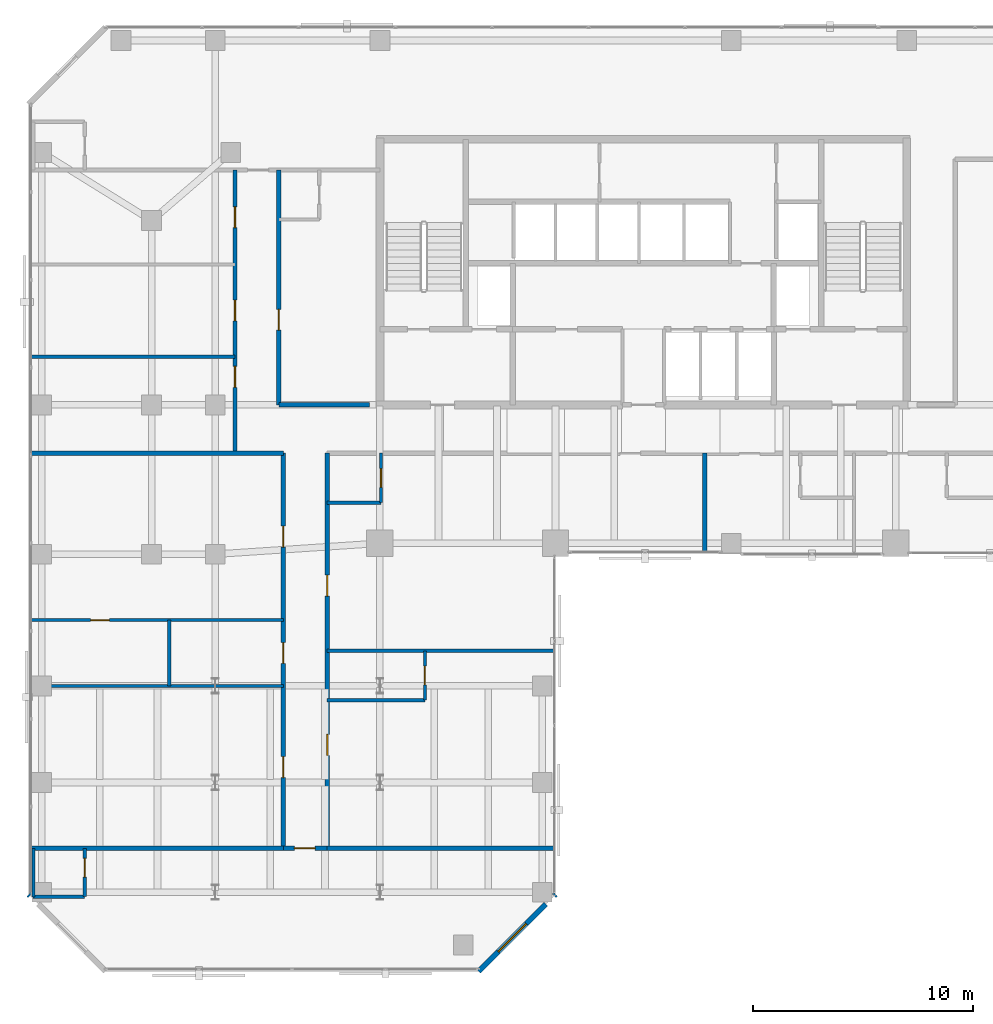
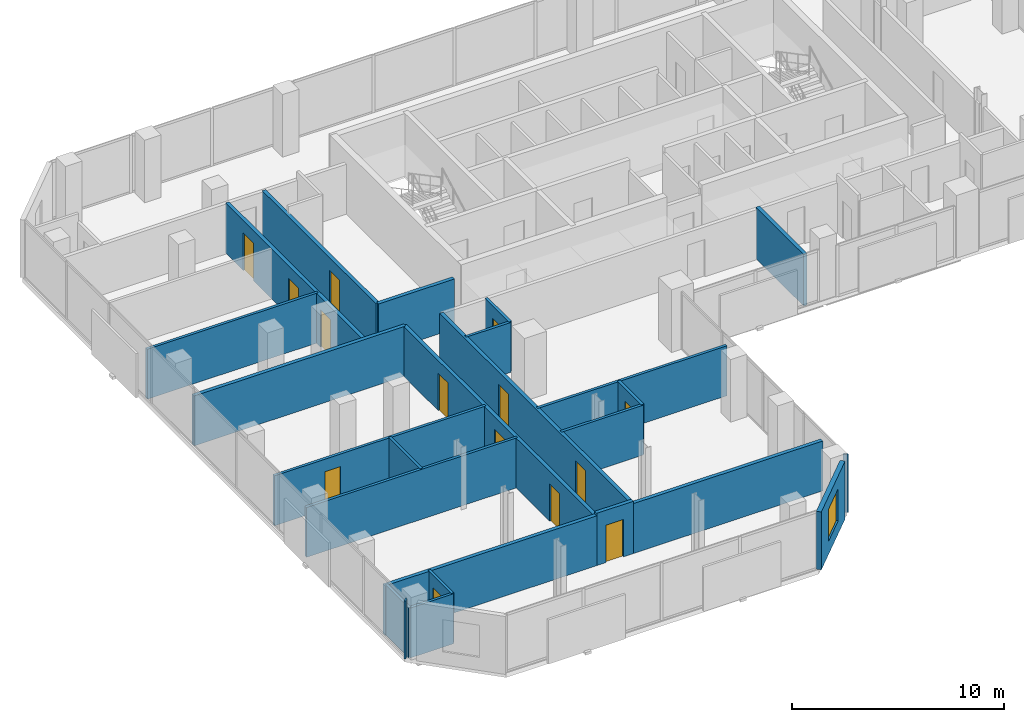
# One storey, part 28 of 34: 25 walls, 14 doors, 1 window, 15 openings.
"""IFC4 building model written with IfcOpenShell, lengths in metres."""

import ifcopenshell
import ifcopenshell.guid

model = None  # the IFC model being written
_history = None  # IfcOwnerHistory: only IFC2X3 demands one
_inside = {}  # id of a spatial element -> (the spatial element, [elements in it])
_under = {}  # id of a project, library or spatial element -> (it, [spatial elements below it])
_declared = {}  # id of a project -> (the project, [libraries it declares])
_typed = {}  # id of a type object -> (the type object, [elements of that type])
_made_of = {}  # id of a material, layer set ... -> (it, [elements and type objects made of it])


def new_model(schema):
    """Start an empty IFC model of exactly this schema.

    Asked for "IFC4X3", IfcOpenShell would pick the latest addendum, in which some entities
    have other attributes; the version numbers below select the first issue.
    IFC2X3 requires an IfcOwnerHistory on every rooted entity: one is made here for all.
    """
    global model, _history
    if schema == "IFC4X3":
        model = ifcopenshell.file(schema_version=(4, 3, 0, 0))
    else:
        model = ifcopenshell.file(schema=schema)
    _inside.clear()
    _under.clear()
    _declared.clear()
    _typed.clear()
    _made_of.clear()
    _history = None
    if model.schema == "IFC2X3":
        org = make("IfcOrganization", Name="unknown")
        user = make(
            "IfcPersonAndOrganization",
            ThePerson=make("IfcPerson", FamilyName="unknown"),
            TheOrganization=org,
        )
        app = make(
            "IfcApplication",
            ApplicationDeveloper=org,
            Version="unknown",
            ApplicationFullName="unknown",
            ApplicationIdentifier="unknown",
        )
        _history = make(
            "IfcOwnerHistory",
            OwningUser=user,
            OwningApplication=app,
            ChangeAction="ADDED",
            CreationDate=0,
        )
    return model


def make(cls, **values):
    """One entity of the class cls with the attributes given. An attribute that is None is left unset."""
    return model.create_entity(
        cls, **{name: value for name, value in values.items() if value is not None}
    )


def rooted(cls, **values):
    """An entity with a GlobalId (a new one), such as an element, a storey or a relation."""
    return make(cls, GlobalId=ifcopenshell.guid.new(), OwnerHistory=_history, **values)


def si_unit(unit_type, name, prefix=None):
    """IfcSIUnit, for example si_unit("LENGTHUNIT", "METRE", prefix="MILLI")."""
    return make("IfcSIUnit", UnitType=unit_type, Prefix=prefix, Name=name)


def assignment(units):
    """IfcUnitAssignment: the units of a project."""
    return None if units is None else make("IfcUnitAssignment", Units=units)


def point(xyz):
    """IfcCartesianPoint."""
    return None if xyz is None else make("IfcCartesianPoint", Coordinates=xyz)


def direction(xyz):
    """IfcDirection."""
    return None if xyz is None else make("IfcDirection", DirectionRatios=xyz)


def frame(location, z_axis=None, x_axis=None):
    """IfcAxis2Placement3D, a coordinate frame: its origin and axes. An axis left out is left unset."""
    return make(
        "IfcAxis2Placement3D",
        Location=point(location),
        Axis=direction(z_axis),
        RefDirection=direction(x_axis),
    )


def frame_2d(location, x_axis=None):
    """IfcAxis2Placement2D, a coordinate frame in the plane: its origin and x axis."""
    return make(
        "IfcAxis2Placement2D", Location=point(location), RefDirection=direction(x_axis)
    )


def origin():
    """The frame at (0, 0, 0) with its axes left unset."""
    return frame((0.0, 0.0, 0.0))


def place(relative_to, where):
    """IfcLocalPlacement: puts the frame where relative to a parent placement (None: the world)."""
    return make(
        "IfcLocalPlacement", PlacementRelTo=relative_to, RelativePlacement=where
    )


def context(
    kind, dimensions, precision=None, world=None, true_north=None, identifier=None
):
    """IfcGeometricRepresentationContext, for example the 3D "Model" context."""
    return make(
        "IfcGeometricRepresentationContext",
        ContextIdentifier=identifier,
        ContextType=kind,
        CoordinateSpaceDimension=dimensions,
        Precision=precision,
        WorldCoordinateSystem=world,
        TrueNorth=true_north,
    )


def subcontext(parent, identifier, kind, view, scale=None):
    """IfcGeometricRepresentationSubContext, for example "Body" below "Model"."""
    return make(
        "IfcGeometricRepresentationSubContext",
        ContextIdentifier=identifier,
        ContextType=kind,
        ParentContext=parent,
        TargetScale=scale,
        TargetView=view,
    )


def project(units=None, contexts=None):
    """IfcProject with its units and contexts."""
    return rooted(
        "IfcProject",
        Name="project",
        RepresentationContexts=contexts,
        UnitsInContext=assignment(units),
    )


def spatial(cls, under=None, at=None, **own):
    """A site, building, storey or space (cls), placed at a placement, below another one or the project."""
    s = rooted(cls, ObjectPlacement=at, **own)
    if under is not None:
        _under.setdefault(under.id(), (under, []))[1].append(s)
    return s


def profile(cls, at=None, kind="AREA", **sizes):
    """A parametric profile (cls). Its sizes go by their IFC names, for example OverallWidth=200.0."""
    return make(cls, ProfileType=kind, Position=at, **sizes)


def rectangle(**sizes):
    """IfcRectangleProfileDef."""
    return profile("IfcRectangleProfileDef", **sizes)


def extrude(swept, where, along, depth):
    """IfcExtrudedAreaSolid: the profile swept, set in the frame where, extruded along a direction by depth."""
    return make(
        "IfcExtrudedAreaSolid",
        SweptArea=swept,
        Position=where,
        ExtrudedDirection=direction(along),
        Depth=depth,
    )


def shape(context_of_items, identifier, shape_type, items):
    """IfcShapeRepresentation: the items that make up one representation, for example the "Body"."""
    return make(
        "IfcShapeRepresentation",
        ContextOfItems=context_of_items,
        RepresentationIdentifier=identifier,
        RepresentationType=shape_type,
        Items=items,
    )


def material(Name=None, Category=None):
    """IfcMaterial."""
    return make("IfcMaterial", Name=Name, Category=Category)


def layer(
    of_material, thickness, ventilated=None, Name=None, Category=None, Priority=None
):
    """IfcMaterialLayer: one layer of a wall or slab, of a material (None: an air gap)."""
    return make(
        "IfcMaterialLayer",
        Material=of_material,
        LayerThickness=thickness,
        IsVentilated=ventilated,
        Name=Name,
        Category=Category,
        Priority=Priority,
    )


def layer_set(layers, Name=None):
    """IfcMaterialLayerSet."""
    return make("IfcMaterialLayerSet", MaterialLayers=layers, LayerSetName=Name)


def made_of(thing, what):
    """Note that an element or type object is made of a material, layer set ...; save() writes the relation."""
    if what is not None:
        _made_of.setdefault(what.id(), (what, []))[1].append(thing)
    return thing


def type_object(cls, material=None, **own):
    """A type object (cls), such as IfcWallType, which elements share."""
    return made_of(rooted(cls, **own), material)


def element(
    cls,
    number,
    at=None,
    inside=None,
    cuts=None,
    type_object=None,
    material=None,
    context=None,
    identifier="Body",
    shape_type=None,
    held_by="IfcProductDefinitionShape",
    body=None,
    shapes=None,
    **own,
):
    """One element of the class cls, such as IfcWall. Its Tag is "e" and its number.

    at: its placement. inside: the storey or other place that contains it. cuts: it is an
    opening in that element (IfcRelVoidsElement). A single representation is given by context,
    identifier, shape_type and body (its items); several are given by shapes. held_by: the class
    of the entity that holds the representations. save() writes the other relations.
    """
    e = rooted(cls, Tag="e%d" % number, ObjectPlacement=at, **own)
    if body is not None:
        shapes = [shape(context, identifier, shape_type, body)]
    if shapes is not None:
        e.Representation = make(held_by, Representations=shapes)
    if inside is not None:
        _inside.setdefault(inside.id(), (inside, []))[1].append(e)
    if cuts is not None:
        rooted(
            "IfcRelVoidsElement", RelatingBuildingElement=cuts, RelatedOpeningElement=e
        )
    if type_object is not None:
        _typed.setdefault(type_object.id(), (type_object, []))[1].append(e)
    return made_of(e, material)


def fill(opening, filler):
    """IfcRelFillsElement: the door or window that sits in an opening."""
    return rooted(
        "IfcRelFillsElement",
        RelatingOpeningElement=opening,
        RelatedBuildingElement=filler,
    )


def aggregate(whole, parts):
    """IfcRelAggregates: a whole, such as a stair, and the parts it consists of."""
    return rooted("IfcRelAggregates", RelatingObject=whole, RelatedObjects=parts)


def save(model, path):
    """Write the relations noted so far, then the file.

    IfcRelAggregates (storeys below a building ...), IfcRelContainedInSpatialStructure (elements
    in a storey), IfcRelDefinesByType, IfcRelAssociatesMaterial and IfcRelDeclares: one each for
    every whole, place, type object, material and project.
    """
    for whole, parts in _under.values():
        aggregate(whole, parts)
    for where, things in _inside.values():
        rooted(
            "IfcRelContainedInSpatialStructure",
            RelatedElements=things,
            RelatingStructure=where,
        )
    for kind, things in _typed.values():
        rooted("IfcRelDefinesByType", RelatedObjects=things, RelatingType=kind)
    for what, things in _made_of.values():
        rooted("IfcRelAssociatesMaterial", RelatedObjects=things, RelatingMaterial=what)
    for by, libraries in _declared.values():
        rooted("IfcRelDeclares", RelatingContext=by, RelatedDefinitions=libraries)
    model.write(path)


model = new_model("IFC4")

# Units and contexts
model_context = context("Model", 3, precision=1e-05, world=origin(), true_north=direction((0.0, 1.0)))
body_context = subcontext(model_context, "Body", "Model", "MODEL_VIEW")
ifc_project = project(units=[si_unit("LENGTHUNIT", "METRE"), si_unit("AREAUNIT", "SQUARE_METRE"), si_unit("VOLUMEUNIT", "CUBIC_METRE"), si_unit("PLANEANGLEUNIT", "RADIAN"), si_unit("MASSUNIT", "GRAM", prefix="KILO")], contexts=[model_context])

# Site, building, storey
site_placement = place(None, origin())
site = spatial("IfcSite", under=ifc_project, at=site_placement, CompositionType="ELEMENT")
building_placement = place(site_placement, origin())
building = spatial("IfcBuilding", under=site, at=building_placement, Name="Catumbela Crestline Tower", CompositionType="ELEMENT")
storey_placement = place(building_placement, frame((0.0, 0.0, 115.2)))
storey = spatial("IfcBuildingStorey", under=building, at=storey_placement, Name="L29", CompositionType="ELEMENT", Elevation=115.2)

# Walls
ifc_material_1 = material(Name="Acoustic gypsum and mineral-wool partition")
ifc_layer_1 = layer(ifc_material_1, 0.2, Name="Acoustic gypsum and mineral-wool partition")
ifc_layer_set_1 = layer_set([ifc_layer_1], Name="Acoustic gypsum and mineral-wool partition")
wall_type_1 = type_object("IfcWallType", Name="WC-200", PredefinedType="PARTITIONING", material=ifc_layer_set_1)
wall_1_placement = place(storey_placement, frame((0.1, 28.6, 0.0), z_axis=(0.0, 0.0, 1.0), x_axis=(1.0, 0.0, 0.0)))
element("IfcWall", 1, at=wall_1_placement, inside=storey, type_object=wall_type_1, Name="L29 Interior Partition PW-L29-Z2CW-N1", PredefinedType="PARTITIONING", context=body_context, shape_type="SweptSolid", body=[
    extrude(rectangle(XDim=11.5, YDim=0.2, at=frame_2d((5.75, 0.0))), origin(), (0.0, 0.0, 1.0), 2.87),
])
wall_2_placement = place(storey_placement, frame((11.4, 30.8, 0.0), z_axis=(0.0, 0.0, 1.0), x_axis=(1.0, 0.0, 0.0)))
element("IfcWall", 2, at=wall_2_placement, inside=storey, type_object=wall_type_1, Name="L29 Interior Partition PW-L29-Z2CW-N3", PredefinedType="PARTITIONING", context=body_context, shape_type="SweptSolid", body=[
    extrude(rectangle(XDim=4.13, YDim=0.2, at=frame_2d((2.065, 0.0))), origin(), (0.0, 0.0, 1.0), 2.87),
])

# Wall, openings, doors
wall_3_placement = place(storey_placement, frame((11.6, 10.6, 0.0), z_axis=(0.0, 0.0, 1.0), x_axis=(0.0, 1.0, 0.0)))
wall_3 = element("IfcWall", 3, at=wall_3_placement, inside=storey, type_object=wall_type_1, Name="L29 Interior Partition PW-L29-STWC-ENT", PredefinedType="PARTITIONING", context=body_context, shape_type="SweptSolid", body=[
    extrude(rectangle(XDim=18.0, YDim=0.2, at=frame_2d((9.0, 0.0))), origin(), (0.0, 0.0, 1.0), 2.87),
])
opening_1_placement = place(wall_3_placement, frame((8.425, 0.0, 0.0)))
opening_1 = element("IfcOpeningElement", 4, at=opening_1_placement, cuts=wall_3, Name="Opening DF6-095", PredefinedType="OPENING", context=body_context, shape_type="SweptSolid", body=[
    extrude(rectangle(XDim=0.95, YDim=2.15, at=frame_2d((0.475, 1.075))), frame((0.0, 0.11, 0.0), z_axis=(0.0, -1.0, 0.0), x_axis=(1.0, 0.0, 0.0)), (0.0, 0.0, 1.0), 0.22),
])
opening_2_placement = place(wall_3_placement, frame((13.725, 0.0, 0.0)))
opening_2 = element("IfcOpeningElement", 5, at=opening_2_placement, cuts=wall_3, Name="Opening DF6-095", PredefinedType="OPENING", context=body_context, shape_type="SweptSolid", body=[
    extrude(rectangle(XDim=0.95, YDim=2.15, at=frame_2d((0.475, 1.075))), frame((0.0, 0.11, 0.0), z_axis=(0.0, -1.0, 0.0), x_axis=(1.0, 0.0, 0.0)), (0.0, 0.0, 1.0), 0.22),
])
opening_3_placement = place(wall_3_placement, frame((3.225, 0.0, 0.0)))
opening_3 = element("IfcOpeningElement", 6, at=opening_3_placement, cuts=wall_3, Name="Opening DF6-095", PredefinedType="OPENING", context=body_context, shape_type="SweptSolid", body=[
    extrude(rectangle(XDim=0.95, YDim=2.15, at=frame_2d((0.475, 1.075))), frame((0.0, 0.11, 0.0), z_axis=(0.0, -1.0, 0.0), x_axis=(1.0, 0.0, 0.0)), (0.0, 0.0, 1.0), 0.22),
])
ifc_material_2 = material(Name="Aluminium alloy AW-6060-T66", Category="aluminium")
door_type_1 = type_object("IfcDoorType", Name="DF6-095", OperationType="NOTDEFINED", PredefinedType="DOOR", material=ifc_material_2)
door_1_placement = place(opening_1_placement, origin())
door_1 = element("IfcDoor", 7, at=door_1_placement, inside=storey, type_object=door_type_1, Name="L29 Interior Door DR-L29-STWC-ENT", OperationType="SINGLE_SWING_RIGHT", OverallHeight=2.15, OverallWidth=0.95, PredefinedType="DOOR", context=body_context, shape_type="SweptSolid", body=[
    extrude(rectangle(XDim=0.95, YDim=2.15, at=frame_2d((0.475, 1.075))), frame((0.0, 0.025, 0.0), z_axis=(0.0, -1.0, 0.0), x_axis=(1.0, 0.0, 0.0)), (0.0, 0.0, 1.0), 0.05),
])
fill(opening_1, door_1)
door_2_placement = place(opening_2_placement, origin())
door_2 = element("IfcDoor", 8, at=door_2_placement, inside=storey, type_object=door_type_1, Name="L29 Interior Door DR-L29-HKP-ENT", OperationType="SINGLE_SWING_RIGHT", OverallHeight=2.15, OverallWidth=0.95, PredefinedType="DOOR", context=body_context, shape_type="SweptSolid", body=[
    extrude(rectangle(XDim=0.95, YDim=2.15, at=frame_2d((0.475, 1.075))), frame((0.0, 0.025, 0.0), z_axis=(0.0, -1.0, 0.0), x_axis=(1.0, 0.0, 0.0)), (0.0, 0.0, 1.0), 0.05),
])
fill(opening_2, door_2)
door_3_placement = place(opening_3_placement, origin())
door_3 = element("IfcDoor", 9, at=door_3_placement, inside=storey, type_object=door_type_1, Name="L29 Interior Door DR-L29-WEXT-ENT", OperationType="SINGLE_SWING_LEFT", OverallHeight=2.15, OverallWidth=0.95, PredefinedType="DOOR", context=body_context, shape_type="SweptSolid", body=[
    extrude(rectangle(XDim=0.95, YDim=2.15, at=frame_2d((0.475, 1.075))), frame((0.0, 0.025, 0.0), z_axis=(0.0, -1.0, 0.0), x_axis=(1.0, 0.0, 0.0)), (0.0, 0.0, 1.0), 0.05),
])
fill(opening_3, door_3)

wall_4_placement = place(storey_placement, frame((9.4, 28.6, 0.0), z_axis=(0.0, 0.0, 1.0), x_axis=(0.0, 1.0, 0.0)))
wall_4 = element("IfcWall", 10, at=wall_4_placement, inside=storey, type_object=wall_type_1, Name="L29 Interior Partition PW-L29-Z2AS1-ENT", PredefinedType="PARTITIONING", context=body_context, shape_type="SweptSolid", body=[
    extrude(rectangle(XDim=12.9, YDim=0.2, at=frame_2d((6.45, 0.0))), origin(), (0.0, 0.0, 1.0), 2.87),
])
opening_4_placement = place(wall_4_placement, frame((3.005, 0.0, 0.0)))
opening_4 = element("IfcOpeningElement", 11, at=opening_4_placement, cuts=wall_4, Name="Opening DF6-095", PredefinedType="OPENING", context=body_context, shape_type="SweptSolid", body=[
    extrude(rectangle(XDim=0.95, YDim=2.15, at=frame_2d((0.475, 1.075))), frame((0.0, 0.11, 0.0), z_axis=(0.0, -1.0, 0.0), x_axis=(1.0, 0.0, 0.0)), (0.0, 0.0, 1.0), 0.22),
])
opening_5_placement = place(wall_4_placement, frame((6.025, 0.0, 0.0)))
opening_5 = element("IfcOpeningElement", 12, at=opening_5_placement, cuts=wall_4, Name="Opening DF6-095", PredefinedType="OPENING", context=body_context, shape_type="SweptSolid", body=[
    extrude(rectangle(XDim=0.95, YDim=2.15, at=frame_2d((0.475, 1.075))), frame((0.0, 0.11, 0.0), z_axis=(0.0, -1.0, 0.0), x_axis=(1.0, 0.0, 0.0)), (0.0, 0.0, 1.0), 0.22),
])
opening_6_placement = place(wall_4_placement, frame((10.275, 0.0, 0.0)))
opening_6 = element("IfcOpeningElement", 13, at=opening_6_placement, cuts=wall_4, Name="Opening DF6-095", PredefinedType="OPENING", context=body_context, shape_type="SweptSolid", body=[
    extrude(rectangle(XDim=0.95, YDim=2.15, at=frame_2d((0.475, 1.075))), frame((0.0, 0.11, 0.0), z_axis=(0.0, -1.0, 0.0), x_axis=(1.0, 0.0, 0.0)), (0.0, 0.0, 1.0), 0.22),
])
door_4_placement = place(opening_4_placement, origin())
door_4 = element("IfcDoor", 14, at=door_4_placement, inside=storey, type_object=door_type_1, Name="L29 Interior Door DR-L29-Z2AS1-ENT", OperationType="SINGLE_SWING_RIGHT", OverallHeight=2.15, OverallWidth=0.95, PredefinedType="DOOR", context=body_context, shape_type="SweptSolid", body=[
    extrude(rectangle(XDim=0.95, YDim=2.15, at=frame_2d((0.475, 1.075))), frame((0.0, 0.025, 0.0), z_axis=(0.0, -1.0, 0.0), x_axis=(1.0, 0.0, 0.0)), (0.0, 0.0, 1.0), 0.05),
])
fill(opening_4, door_4)
door_5_placement = place(opening_5_placement, origin())
door_5 = element("IfcDoor", 15, at=door_5_placement, inside=storey, type_object=door_type_1, Name="L29 Interior Door DR-L29-Z2MB1-ENT", OperationType="SINGLE_SWING_LEFT", OverallHeight=2.15, OverallWidth=0.95, PredefinedType="DOOR", context=body_context, shape_type="SweptSolid", body=[
    extrude(rectangle(XDim=0.95, YDim=2.15, at=frame_2d((0.475, 1.075))), frame((0.0, 0.025, 0.0), z_axis=(0.0, -1.0, 0.0), x_axis=(1.0, 0.0, 0.0)), (0.0, 0.0, 1.0), 0.05),
])
fill(opening_5, door_5)
door_6_placement = place(opening_6_placement, origin())
door_6 = element("IfcDoor", 16, at=door_6_placement, inside=storey, type_object=door_type_1, Name="L29 Interior Door DR-L29-Z2EX1-ENT", OperationType="SINGLE_SWING_LEFT", OverallHeight=2.15, OverallWidth=0.95, PredefinedType="DOOR", context=body_context, shape_type="SweptSolid", body=[
    extrude(rectangle(XDim=0.95, YDim=2.15, at=frame_2d((0.475, 1.075))), frame((0.0, 0.025, 0.0), z_axis=(0.0, -1.0, 0.0), x_axis=(1.0, 0.0, 0.0)), (0.0, 0.0, 1.0), 0.05),
])
fill(opening_6, door_6)

# Wall, opening, door
wall_5_placement = place(storey_placement, frame((11.4, 30.8, 0.0), z_axis=(0.0, 0.0, 1.0), x_axis=(0.0, 1.0, 0.0)))
wall_5 = element("IfcWall", 17, at=wall_5_placement, inside=storey, type_object=wall_type_1, Name="L29 Interior Partition PW-L29-Z2FS1-ENT", PredefinedType="PARTITIONING", context=body_context, shape_type="SweptSolid", body=[
    extrude(rectangle(XDim=10.7, YDim=0.2, at=frame_2d((5.35, 0.0))), origin(), (0.0, 0.0, 1.0), 2.87),
])
opening_7_placement = place(wall_5_placement, frame((3.405, 0.0, 0.0)))
opening_7 = element("IfcOpeningElement", 18, at=opening_7_placement, cuts=wall_5, Name="Opening DF6-095", PredefinedType="OPENING", context=body_context, shape_type="SweptSolid", body=[
    extrude(rectangle(XDim=0.95, YDim=2.15, at=frame_2d((0.475, 1.075))), frame((0.0, 0.11, 0.0), z_axis=(0.0, -1.0, 0.0), x_axis=(1.0, 0.0, 0.0)), (0.0, 0.0, 1.0), 0.22),
])
door_7_placement = place(opening_7_placement, origin())
door_7 = element("IfcDoor", 19, at=door_7_placement, inside=storey, type_object=door_type_1, Name="L29 Interior Door DR-L29-Z2FS1-ENT", OperationType="SINGLE_SWING_LEFT", OverallHeight=2.15, OverallWidth=0.95, PredefinedType="DOOR", context=body_context, shape_type="SweptSolid", body=[
    extrude(rectangle(XDim=0.95, YDim=2.15, at=frame_2d((0.475, 1.075))), frame((0.0, 0.025, 0.0), z_axis=(0.0, -1.0, 0.0), x_axis=(1.0, 0.0, 0.0)), (0.0, 0.0, 1.0), 0.05),
])
fill(opening_7, door_7)

wall_6_placement = place(storey_placement, frame((11.6, 10.6, 0.0), z_axis=(0.0, 0.0, 1.0), x_axis=(1.0, 0.0, 0.0)))
wall_6 = element("IfcWall", 20, at=wall_6_placement, inside=storey, type_object=wall_type_1, Name="L29 Interior Partition PW-L29-STIP-ENT", PredefinedType="PARTITIONING", context=body_context, shape_type="SweptSolid", body=[
    extrude(rectangle(XDim=2.0, YDim=0.2, at=frame_2d((1.0, 0.0))), origin(), (0.0, 0.0, 1.0), 3.01),
])
opening_8_placement = place(wall_6_placement, frame((0.5025, 0.0, 0.0)))
opening_8 = element("IfcOpeningElement", 21, at=opening_8_placement, cuts=wall_6, Name="Opening DF6-095", PredefinedType="OPENING", context=body_context, shape_type="SweptSolid", body=[
    extrude(rectangle(XDim=0.95, YDim=2.15, at=frame_2d((0.475, 1.075))), frame((0.0, 0.11, 0.0), z_axis=(0.0, -1.0, 0.0), x_axis=(1.0, 0.0, 0.0)), (0.0, 0.0, 1.0), 0.22),
])
door_8_placement = place(opening_8_placement, origin())
door_8 = element("IfcDoor", 22, at=door_8_placement, inside=storey, type_object=door_type_1, Name="L29 Interior Door DR-L29-STIP-ENT", OperationType="SINGLE_SWING_LEFT", OverallHeight=2.15, OverallWidth=0.95, PredefinedType="DOOR", context=body_context, shape_type="SweptSolid", body=[
    extrude(rectangle(XDim=0.95, YDim=2.15, at=frame_2d((0.475, 1.075))), frame((0.0, 0.025, 0.0), z_axis=(0.0, -1.0, 0.0), x_axis=(1.0, 0.0, 0.0)), (0.0, 0.0, 1.0), 0.05),
])
fill(opening_8, door_8)

# Wall, openings, doors
wall_7_placement = place(storey_placement, frame((13.6, 10.6, 0.0), z_axis=(0.0, 0.0, 1.0), x_axis=(0.0, 1.0, 0.0)))
wall_7 = element("IfcWall", 23, at=wall_7_placement, inside=storey, type_object=wall_type_1, Name="L29 Interior Partition PW-L29-SW1-ENT", PredefinedType="PARTITIONING", context=body_context, shape_type="SweptSolid", body=[
    extrude(rectangle(XDim=18.0, YDim=0.2, at=frame_2d((9.0, 0.0))), origin(), (0.0, 0.0, 1.0), 2.87),
])
opening_9_placement = place(wall_7_placement, frame((4.24, 0.0, 0.0)))
opening_9 = element("IfcOpeningElement", 24, at=opening_9_placement, cuts=wall_7, Name="Opening DF6-095", PredefinedType="OPENING", context=body_context, shape_type="SweptSolid", body=[
    extrude(rectangle(XDim=0.95, YDim=2.15, at=frame_2d((0.475, 1.075))), frame((0.0, 0.11, 0.0), z_axis=(0.0, -1.0, 0.0), x_axis=(1.0, 0.0, 0.0)), (0.0, 0.0, 1.0), 0.22),
])
opening_10_placement = place(wall_7_placement, frame((11.4941, 0.0, 0.0)))
opening_10 = element("IfcOpeningElement", 25, at=opening_10_placement, cuts=wall_7, Name="Opening DF6-095", PredefinedType="OPENING", context=body_context, shape_type="SweptSolid", body=[
    extrude(rectangle(XDim=0.95, YDim=2.15, at=frame_2d((0.475, 1.075))), frame((0.0, 0.11, 0.0), z_axis=(0.0, -1.0, 0.0), x_axis=(1.0, 0.0, 0.0)), (0.0, 0.0, 1.0), 0.22),
])
door_9_placement = place(opening_9_placement, origin())
door_9 = element("IfcDoor", 26, at=door_9_placement, inside=storey, type_object=door_type_1, Name="L29 Interior Door DR-L29-SW1-ENT", OperationType="SINGLE_SWING_RIGHT", OverallHeight=2.15, OverallWidth=0.95, PredefinedType="DOOR", context=body_context, shape_type="SweptSolid", body=[
    extrude(rectangle(XDim=0.95, YDim=2.15, at=frame_2d((0.475, 1.075))), frame((0.0, 0.025, 0.0), z_axis=(0.0, -1.0, 0.0), x_axis=(1.0, 0.0, 0.0)), (0.0, 0.0, 1.0), 0.05),
])
fill(opening_9, door_9)
door_10_placement = place(opening_10_placement, origin())
door_10 = element("IfcDoor", 27, at=door_10_placement, inside=storey, type_object=door_type_1, Name="L29 Interior Door DR-L29-SW2-ENT", OperationType="SINGLE_SWING_LEFT", OverallHeight=2.15, OverallWidth=0.95, PredefinedType="DOOR", context=body_context, shape_type="SweptSolid", body=[
    extrude(rectangle(XDim=0.95, YDim=2.15, at=frame_2d((0.475, 1.075))), frame((0.0, 0.025, 0.0), z_axis=(0.0, -1.0, 0.0), x_axis=(1.0, 0.0, 0.0)), (0.0, 0.0, 1.0), 0.05),
])
fill(opening_10, door_10)

# Wall, opening, window
ifc_material_3 = material(Name="Angolan grey-ochre granite", Category="masonry")
ifc_layer_2 = layer(ifc_material_3, 0.25, Name="Angolan grey-ochre granite")
ifc_layer_set_2 = layer_set([ifc_layer_2], Name="Angolan grey-ochre granite")
wall_type_2 = type_object("IfcWallType", Name="WE-250", PredefinedType="STANDARD", material=ifc_layer_set_2)
wall_8_placement = place(storey_placement, frame((20.5, 5.0, 0.0), z_axis=(0.0, 0.0, 1.0), x_axis=(0.707106781187, 0.707106781187, 0.0)))
wall_8 = element("IfcWall", 28, at=wall_8_placement, inside=storey, type_object=wall_type_2, Name="L29 Granite Punched Window Wall 1-1", PredefinedType="STANDARD", context=body_context, shape_type="SweptSolid", body=[
    extrude(rectangle(XDim=4.3298, YDim=0.25, at=frame_2d((2.1649, 0.0))), origin(), (0.0, 0.0, 1.0), 3.33),
])
opening_11_placement = place(wall_8_placement, frame((1.2649, 0.0, 0.75)))
opening_11 = element("IfcOpeningElement", 29, at=opening_11_placement, cuts=wall_8, Name="Opening WN-01", PredefinedType="OPENING", context=body_context, shape_type="SweptSolid", body=[
    extrude(rectangle(XDim=1.8, YDim=1.85, at=frame_2d((0.9, 0.925))), frame((0.0, 0.135, 0.0), z_axis=(0.0, -1.0, 0.0), x_axis=(1.0, 0.0, 0.0)), (0.0, 0.0, 1.0), 0.27),
])
ifc_material_4 = material(Name="Low-E laminated solar-control double glazing", Category="glass")
window_type = type_object("IfcWindowType", Name="WF-1800", PartitioningType="SINGLE_PANEL", PredefinedType="WINDOW", material=ifc_material_4)
window_placement = place(opening_11_placement, origin())
window = element("IfcWindow", 30, at=window_placement, inside=storey, type_object=window_type, Name="L29 Facade Vision Window 165", OverallHeight=1.85, OverallWidth=1.8, PartitioningType="SINGLE_PANEL", PredefinedType="WINDOW", context=body_context, shape_type="SweptSolid", body=[
    extrude(rectangle(XDim=1.8, YDim=1.85, at=frame_2d((0.9, 0.925))), frame((0.0, 0.03, 0.0), z_axis=(0.0, -1.0, 0.0), x_axis=(1.0, 0.0, 0.0)), (0.0, 0.0, 1.0), 0.06),
])
fill(opening_11, window)

# Walls
for number, where, z_axis, x_axis, name in (
    (31, (23.9384, 8.4384, 0.0), (0.0, 0.0, 1.0), (0.707106781187, 0.707106781187, 0.0), "L29 Granite Punched Window Wall 1-2"),
    (32, (0.0, 8.5, 0.0), (0.0, 0.0, 1.0), (0.707106781187, -0.707106781187, 0.0), "L29 Granite Punched Window Wall 10-1"),
):
    element("IfcWall", number, at=place(storey_placement, frame(where, z_axis=z_axis, x_axis=x_axis)), inside=storey, type_object=wall_type_2, Name=name, PredefinedType="STANDARD", context=body_context, shape_type="SweptSolid", body=[
        extrude(rectangle(XDim=0.0871, YDim=0.25, at=frame_2d((0.0436, 0.0))), origin(), (0.0, 0.0, 1.0), 3.33),
    ])
ifc_layer_3 = layer(ifc_material_1, 0.15, Name="Acoustic gypsum and mineral-wool partition")
ifc_layer_set_3 = layer_set([ifc_layer_3], Name="Acoustic gypsum and mineral-wool partition")
wall_type_3 = type_object("IfcWallType", Name="WP-150", PredefinedType="PARTITIONING", material=ifc_layer_set_3)
wall_9_placement = place(storey_placement, frame((0.1, 18.0, 0.0), z_axis=(0.0, 0.0, 1.0), x_axis=(1.0, 0.0, 0.0)))
element("IfcWall", 33, at=wall_9_placement, inside=storey, type_object=wall_type_3, Name="L29 Interior Partition PW-L29-Z2W-1", PredefinedType="PARTITIONING", context=body_context, shape_type="SweptSolid", body=[
    extrude(rectangle(XDim=11.5, YDim=0.15, at=frame_2d((5.75, 0.0))), origin(), (0.0, 0.0, 1.0), 2.87),
])

# Wall, opening, door
wall_10_placement = place(storey_placement, frame((0.1, 21.0, 0.0), z_axis=(0.0, 0.0, 1.0), x_axis=(1.0, 0.0, 0.0)))
wall_10 = element("IfcWall", 34, at=wall_10_placement, inside=storey, type_object=wall_type_3, Name="L29 Interior Partition PW-L29-Z2W-2", PredefinedType="PARTITIONING", context=body_context, shape_type="SweptSolid", body=[
    extrude(rectangle(XDim=11.5, YDim=0.15, at=frame_2d((5.75, 0.0))), origin(), (0.0, 0.0, 1.0), 2.87),
])
opening_12_placement = place(wall_10_placement, frame((2.725, 0.0, 0.0)))
opening_12 = element("IfcOpeningElement", 35, at=opening_12_placement, cuts=wall_10, Name="Opening DI-085", PredefinedType="OPENING", context=body_context, shape_type="SweptSolid", body=[
    extrude(rectangle(XDim=0.85, YDim=2.15, at=frame_2d((0.425, 1.075))), frame((0.0, 0.085, 0.0), z_axis=(0.0, -1.0, 0.0), x_axis=(1.0, 0.0, 0.0)), (0.0, 0.0, 1.0), 0.17),
])
door_type_2 = type_object("IfcDoorType", Name="DI-085", OperationType="NOTDEFINED", PredefinedType="DOOR", material=ifc_material_2)
door_11_placement = place(opening_12_placement, origin())
door_11 = element("IfcDoor", 36, at=door_11_placement, inside=storey, type_object=door_type_2, Name="L29 Interior Door DR-L29-STSTO", OperationType="SINGLE_SWING_LEFT", OverallHeight=2.15, OverallWidth=0.85, PredefinedType="DOOR", context=body_context, shape_type="SweptSolid", body=[
    extrude(rectangle(XDim=0.85, YDim=2.15, at=frame_2d((0.425, 1.075))), frame((0.0, 0.025, 0.0), z_axis=(0.0, -1.0, 0.0), x_axis=(1.0, 0.0, 0.0)), (0.0, 0.0, 1.0), 0.05),
])
fill(opening_12, door_11)

# Walls
wall_11_placement = place(storey_placement, frame((6.4, 18.0, 0.0), z_axis=(0.0, 0.0, 1.0), x_axis=(0.0, 1.0, 0.0)))
element("IfcWall", 37, at=wall_11_placement, inside=storey, type_object=wall_type_3, Name="L29 Interior Partition PW-L29-Z2W-WCX", PredefinedType="PARTITIONING", context=body_context, shape_type="SweptSolid", body=[
    extrude(rectangle(XDim=3.0, YDim=0.15, at=frame_2d((1.5, 0.0))), origin(), (0.0, 0.0, 1.0), 2.87),
])
wall_12_placement = place(storey_placement, frame((0.1, 33.0, 0.0), z_axis=(0.0, 0.0, 1.0), x_axis=(1.0, 0.0, 0.0)))
element("IfcWall", 38, at=wall_12_placement, inside=storey, type_object=wall_type_3, Name="L29 Interior Partition PW-L29-Z2G2-1", PredefinedType="PARTITIONING", context=body_context, shape_type="SweptSolid", body=[
    extrude(rectangle(XDim=9.3, YDim=0.15, at=frame_2d((4.65, 0.0))), origin(), (0.0, 0.0, 1.0), 2.87),
])
wall_13_placement = place(storey_placement, frame((0.2, 8.4, 0.0), z_axis=(0.0, 0.0, 1.0), x_axis=(1.0, 0.0, 0.0)))
element("IfcWall", 39, at=wall_13_placement, inside=storey, type_object=wall_type_3, Name="L29 Interior Partition PW-L29-STIP-BHW", PredefinedType="PARTITIONING", context=body_context, shape_type="SweptSolid", body=[
    extrude(rectangle(XDim=2.35, YDim=0.15, at=frame_2d((1.175, 0.0))), origin(), (0.0, 0.0, 1.0), 2.87),
])

# Wall, opening, door
wall_14_placement = place(storey_placement, frame((2.55, 8.4, 0.0), z_axis=(0.0, 0.0, 1.0), x_axis=(0.0, 1.0, 0.0)))
wall_14 = element("IfcWall", 40, at=wall_14_placement, inside=storey, type_object=wall_type_3, Name="L29 Interior Partition PW-L29-STIP-BEW", PredefinedType="PARTITIONING", context=body_context, shape_type="SweptSolid", body=[
    extrude(rectangle(XDim=2.2, YDim=0.15, at=frame_2d((1.1, 0.0))), origin(), (0.0, 0.0, 1.0), 2.87),
])
opening_13_placement = place(wall_14_placement, frame((0.8925, 0.0, 0.0)))
opening_13 = element("IfcOpeningElement", 41, at=opening_13_placement, cuts=wall_14, Name="Opening DI-085", PredefinedType="OPENING", context=body_context, shape_type="SweptSolid", body=[
    extrude(rectangle(XDim=0.85, YDim=2.15, at=frame_2d((0.425, 1.075))), frame((0.0, 0.085, 0.0), z_axis=(0.0, -1.0, 0.0), x_axis=(1.0, 0.0, 0.0)), (0.0, 0.0, 1.0), 0.17),
])
door_12_placement = place(opening_13_placement, origin())
door_12 = element("IfcDoor", 42, at=door_12_placement, inside=storey, type_object=door_type_2, Name="L29 Interior Door DR-L29-STIP-BTH", OperationType="SINGLE_SWING_LEFT", OverallHeight=2.15, OverallWidth=0.85, PredefinedType="DOOR", context=body_context, shape_type="SweptSolid", body=[
    extrude(rectangle(XDim=0.85, YDim=2.15, at=frame_2d((0.425, 1.075))), frame((0.0, 0.025, 0.0), z_axis=(0.0, -1.0, 0.0), x_axis=(1.0, 0.0, 0.0)), (0.0, 0.0, 1.0), 0.05),
])
fill(opening_13, door_12)

# Walls
wall_15_placement = place(storey_placement, frame((0.22, 8.38, 0.0), z_axis=(0.0, 0.0, 1.0), x_axis=(0.0, 1.0, 0.0)))
element("IfcWall", 43, at=wall_15_placement, inside=storey, type_object=wall_type_3, Name="L29 Interior Partition PW-L29-STIP-BCL-3", PredefinedType="PARTITIONING", context=body_context, shape_type="SweptSolid", body=[
    extrude(rectangle(XDim=2.22, YDim=0.15, at=frame_2d((1.11, 0.0))), origin(), (0.0, 0.0, 1.0), 2.87),
])
wall_16_placement = place(storey_placement, frame((13.6, 17.35, 0.0), z_axis=(0.0, 0.0, 1.0), x_axis=(1.0, 0.0, 0.0)))
element("IfcWall", 44, at=wall_16_placement, inside=storey, type_object=wall_type_3, Name="L29 Interior Partition PW-L29-SW1-BSW", PredefinedType="PARTITIONING", context=body_context, shape_type="SweptSolid", body=[
    extrude(rectangle(XDim=4.45, YDim=0.15, at=frame_2d((2.225, 0.0))), origin(), (0.0, 0.0, 1.0), 2.87),
])

# Wall, opening, door
wall_17_placement = place(storey_placement, frame((18.05, 17.35, 0.0), z_axis=(0.0, 0.0, 1.0), x_axis=(0.0, 1.0, 0.0)))
wall_17 = element("IfcWall", 45, at=wall_17_placement, inside=storey, type_object=wall_type_3, Name="L29 Interior Partition PW-L29-SW1-BEW", PredefinedType="PARTITIONING", context=body_context, shape_type="SweptSolid", body=[
    extrude(rectangle(XDim=2.25, YDim=0.15, at=frame_2d((1.125, 0.0))), origin(), (0.0, 0.0, 1.0), 2.87),
])
opening_14_placement = place(wall_17_placement, frame((0.7, 0.0, 0.0)))
opening_14 = element("IfcOpeningElement", 46, at=opening_14_placement, cuts=wall_17, Name="Opening DI-085", PredefinedType="OPENING", context=body_context, shape_type="SweptSolid", body=[
    extrude(rectangle(XDim=0.85, YDim=2.15, at=frame_2d((0.425, 1.075))), frame((0.0, 0.085, 0.0), z_axis=(0.0, -1.0, 0.0), x_axis=(1.0, 0.0, 0.0)), (0.0, 0.0, 1.0), 0.17),
])
door_13_placement = place(opening_14_placement, origin())
door_13 = element("IfcDoor", 47, at=door_13_placement, inside=storey, type_object=door_type_2, Name="L29 Interior Door DR-L29-SW1-BTH", OperationType="SINGLE_SWING_LEFT", OverallHeight=2.15, OverallWidth=0.85, PredefinedType="DOOR", context=body_context, shape_type="SweptSolid", body=[
    extrude(rectangle(XDim=0.85, YDim=2.15, at=frame_2d((0.425, 1.075))), frame((0.0, 0.025, 0.0), z_axis=(0.0, -1.0, 0.0), x_axis=(1.0, 0.0, 0.0)), (0.0, 0.0, 1.0), 0.05),
])
fill(opening_14, door_13)

# Walls
wall_18_placement = place(storey_placement, frame((13.6, 19.6, 0.0), z_axis=(0.0, 0.0, 1.0), x_axis=(1.0, 0.0, 0.0)))
element("IfcWall", 48, at=wall_18_placement, inside=storey, type_object=wall_type_3, Name="L29 Interior Partition PW-L29-SW1-BCL-1", PredefinedType="PARTITIONING", context=body_context, shape_type="SweptSolid", body=[
    extrude(rectangle(XDim=10.3, YDim=0.15, at=frame_2d((5.15, 0.0))), origin(), (0.0, 0.0, 1.0), 2.87),
])
wall_19_placement = place(storey_placement, frame((13.6, 26.35, 0.0), z_axis=(0.0, 0.0, 1.0), x_axis=(1.0, 0.0, 0.0)))
element("IfcWall", 49, at=wall_19_placement, inside=storey, type_object=wall_type_3, Name="L29 Interior Partition PW-L29-SW2-BSW", PredefinedType="PARTITIONING", context=body_context, shape_type="SweptSolid", body=[
    extrude(rectangle(XDim=2.45, YDim=0.15, at=frame_2d((1.225, 0.0))), origin(), (0.0, 0.0, 1.0), 2.87),
])

# Wall, opening, door
wall_20_placement = place(storey_placement, frame((16.05, 26.35, 0.0), z_axis=(0.0, 0.0, 1.0), x_axis=(0.0, 1.0, 0.0)))
wall_20 = element("IfcWall", 50, at=wall_20_placement, inside=storey, type_object=wall_type_3, Name="L29 Interior Partition PW-L29-SW2-BEW", PredefinedType="PARTITIONING", context=body_context, shape_type="SweptSolid", body=[
    extrude(rectangle(XDim=2.25, YDim=0.15, at=frame_2d((1.125, 0.0))), origin(), (0.0, 0.0, 1.0), 2.87),
])
opening_15_placement = place(wall_20_placement, frame((0.7, 0.0, 0.0)))
opening_15 = element("IfcOpeningElement", 51, at=opening_15_placement, cuts=wall_20, Name="Opening DI-085", PredefinedType="OPENING", context=body_context, shape_type="SweptSolid", body=[
    extrude(rectangle(XDim=0.85, YDim=2.15, at=frame_2d((0.425, 1.075))), frame((0.0, 0.085, 0.0), z_axis=(0.0, -1.0, 0.0), x_axis=(1.0, 0.0, 0.0)), (0.0, 0.0, 1.0), 0.17),
])
door_14_placement = place(opening_15_placement, origin())
door_14 = element("IfcDoor", 52, at=door_14_placement, inside=storey, type_object=door_type_2, Name="L29 Interior Door DR-L29-SW2-BTH", OperationType="SINGLE_SWING_LEFT", OverallHeight=2.15, OverallWidth=0.85, PredefinedType="DOOR", context=body_context, shape_type="SweptSolid", body=[
    extrude(rectangle(XDim=0.85, YDim=2.15, at=frame_2d((0.425, 1.075))), frame((0.0, 0.025, 0.0), z_axis=(0.0, -1.0, 0.0), x_axis=(1.0, 0.0, 0.0)), (0.0, 0.0, 1.0), 0.05),
])
fill(opening_15, door_14)

# Walls
ifc_layer_4 = layer(ifc_material_1, 0.2, Name="Acoustic gypsum and mineral-wool partition")
ifc_layer_set_4 = layer_set([ifc_layer_4], Name="Acoustic gypsum and mineral-wool partition")
wall_type_4 = type_object("IfcWallType", Name="WY-200", PredefinedType="PARTITIONING", material=ifc_layer_set_4)
wall_21_placement = place(storey_placement, frame((0.1, 10.6, 0.0), z_axis=(0.0, 0.0, 1.0), x_axis=(1.0, 0.0, 0.0)))
element("IfcWall", 53, at=wall_21_placement, inside=storey, type_object=wall_type_4, Name="L29 Interior Partition PW-L29-STIP-WL", PredefinedType="PARTITIONING", context=body_context, shape_type="SweptSolid", body=[
    extrude(rectangle(XDim=11.5, YDim=0.2, at=frame_2d((5.75, 0.0))), origin(), (0.0, 0.0, 1.0), 2.87),
])
wall_22_placement = place(storey_placement, frame((13.6, 10.6, 0.0), z_axis=(0.0, 0.0, 1.0), x_axis=(1.0, 0.0, 0.0)))
element("IfcWall", 54, at=wall_22_placement, inside=storey, type_object=wall_type_4, Name="L29 Interior Partition PW-L29-STIP-WR", PredefinedType="PARTITIONING", context=body_context, shape_type="SweptSolid", body=[
    extrude(rectangle(XDim=10.3, YDim=0.2, at=frame_2d((5.15, 0.0))), origin(), (0.0, 0.0, 1.0), 2.87),
])
wall_23_placement = place(storey_placement, frame((30.8, 24.1, 0.0), z_axis=(0.0, 0.0, 1.0), x_axis=(0.0, 1.0, 0.0)))
element("IfcWall", 55, at=wall_23_placement, inside=storey, type_object=wall_type_4, Name="L29 Interior Partition PW-L29-Z2SPP-2", PredefinedType="PARTITIONING", context=body_context, shape_type="SweptSolid", body=[
    extrude(rectangle(XDim=4.5, YDim=0.2, at=frame_2d((2.25, 0.0))), origin(), (0.0, 0.0, 1.0), 2.96),
])

save(model, "model.ifc")
